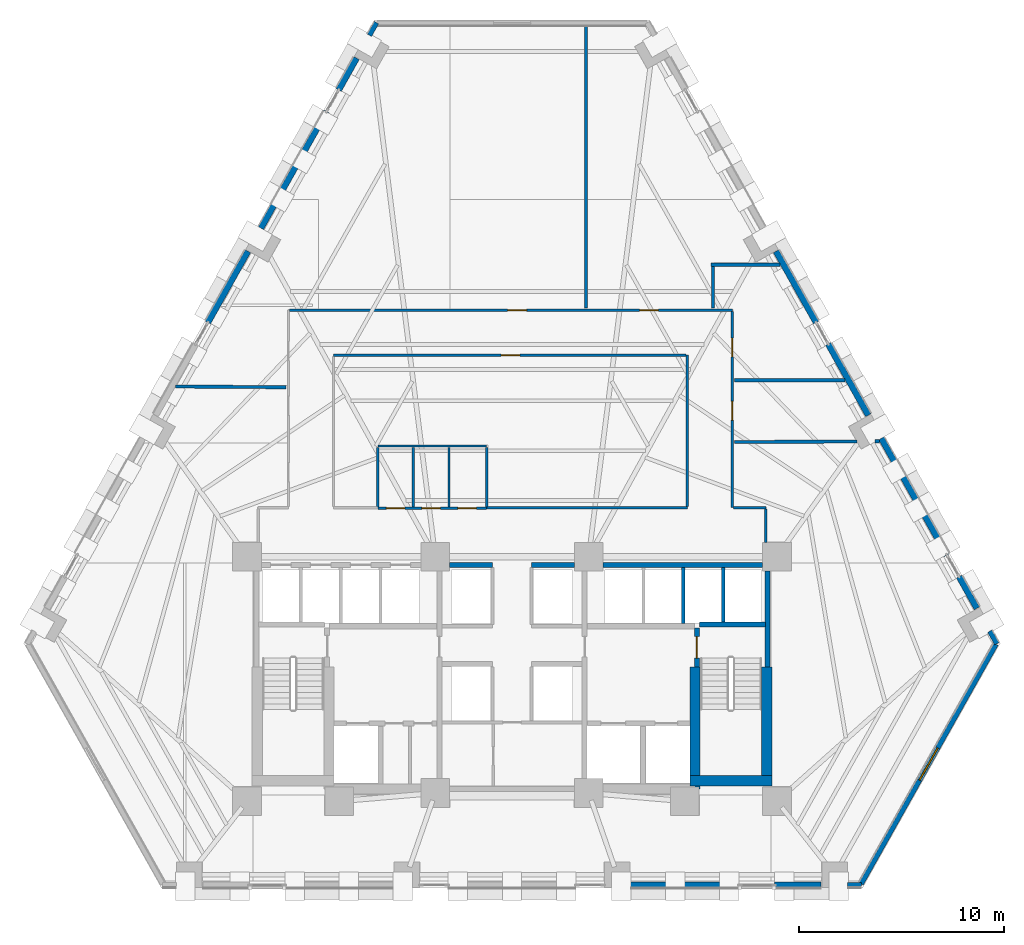
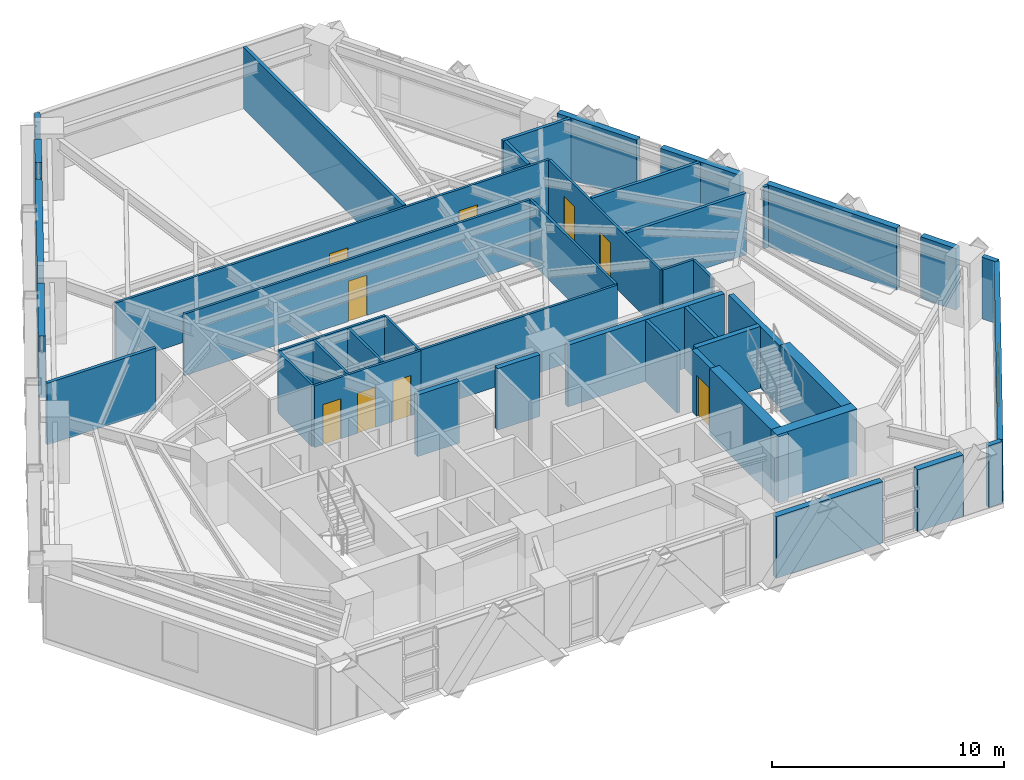
# One storey, part 8 of 13: 44 walls, 9 doors, 1 window, 10 openings.
"""IFC4 building model written with IfcOpenShell, lengths in metres."""

from ifc_helpers import new_model, si_unit, direction, frame, frame_2d, origin, place, context, subcontext, project, spatial, rectangle, extrude, material, layer, layer_set, type_object, element, fill, save


model = new_model("IFC4")

# Units and contexts
model_context = context("Model", 3, precision=1e-05, world=origin(), true_north=direction((0.0, 1.0)))
body_context = subcontext(model_context, "Body", "Model", "MODEL_VIEW")
ifc_project = project(units=[si_unit("LENGTHUNIT", "METRE"), si_unit("AREAUNIT", "SQUARE_METRE"), si_unit("VOLUMEUNIT", "CUBIC_METRE"), si_unit("PLANEANGLEUNIT", "RADIAN"), si_unit("MASSUNIT", "GRAM", prefix="KILO")], contexts=[model_context])

# Site, building, storey
site_placement = place(None, origin())
site = spatial("IfcSite", under=ifc_project, at=site_placement, CompositionType="ELEMENT")
building_placement = place(site_placement, origin())
building = spatial("IfcBuilding", under=site, at=building_placement, Name="Quenlor Broadcast Tower", CompositionType="ELEMENT")
storey_placement = place(building_placement, frame((0.0, 0.0, 45.10009765625)))
storey = spatial("IfcBuildingStorey", under=building, at=storey_placement, Name="L11", CompositionType="ELEMENT", Elevation=45.10009765625)

# Walls
ifc_material_1 = material(Name="Concrete C65/80", Category="concrete")
ifc_layer_1 = layer(ifc_material_1, 0.5)
ifc_layer_set_1 = layer_set([ifc_layer_1], Name="Core Concrete C65/80 Shear Wall 500")
wall_type_1 = type_object("IfcWallType", Name="Core Concrete C65/80 Shear Wall 500", PredefinedType="SHEAR", material=ifc_layer_set_1)
wall_1_placement = place(storey_placement, frame((8.699951171875, -15.75, 0.0), z_axis=(0.0, 0.0, 1.0), x_axis=(1.0, 0.0, 0.0)))
element("IfcWall", 1, at=wall_1_placement, inside=storey, type_object=wall_type_1, Name="L11 Core Shear Wall WS-E2", PredefinedType="SHEAR", context=body_context, shape_type="SweptSolid", body=[
    extrude(rectangle(XDim=4.0, YDim=0.5, at=frame_2d((2.0, 0.0))), origin(), (0.0, 0.0, 1.0), 3.5),
])
wall_2_placement = place(storey_placement, frame((12.449951171875, -15.75, 0.0), z_axis=(0.0, 0.0, 1.0), x_axis=(0.0, 1.0, 0.0)))
element("IfcWall", 2, at=wall_2_placement, inside=storey, type_object=wall_type_1, Name="L11 Core Shear Wall WF-E", PredefinedType="SHEAR", context=body_context, shape_type="SweptSolid", body=[
    extrude(rectangle(XDim=5.550048828125, YDim=0.5, at=frame_2d((2.77490234375, 0.0))), origin(), (0.0, 0.0, 1.0), 3.5),
])
wall_3_placement = place(storey_placement, frame((8.949951171875, -16.14990234375, 0.0), z_axis=(0.0, 0.0, 1.0), x_axis=(0.0, 1.0, 0.0)))
element("IfcWall", 3, at=wall_3_placement, inside=storey, type_object=wall_type_1, Name="L11 Core Shear Wall WI-E", PredefinedType="SHEAR", context=body_context, shape_type="SweptSolid", body=[
    extrude(rectangle(XDim=5.949951171875, YDim=0.5, at=frame_2d((2.97509765625, 0.0))), origin(), (0.0, 0.0, 1.0), 3.5),
])

# Wall, opening, door
ifc_material_2 = material(Name="Concrete C40/50", Category="concrete")
ifc_layer_2 = layer(ifc_material_2, 0.25)
ifc_layer_set_2 = layer_set([ifc_layer_2], Name="Fire Rated Concrete C40/50 Core Wall 250")
wall_type_2 = type_object("IfcWallType", Name="Fire Rated Concrete C40/50 Core Wall 250", PredefinedType="PARTITIONING", material=ifc_layer_set_2)
wall_4_placement = place(storey_placement, frame((9.0400390625, -10.179931640625, 0.0), z_axis=(0.0, 0.0, 1.0), x_axis=(0.0, 1.0, 0.0)))
wall_4 = element("IfcWall", 4, at=wall_4_placement, inside=storey, type_object=wall_type_2, Name="L11 Interior Wall CW-ST2-DR", PredefinedType="PARTITIONING", context=body_context, shape_type="SweptSolid", body=[
    extrude(rectangle(XDim=1.89990234375, YDim=0.25, at=frame_2d((0.949951171875, 0.0))), origin(), (0.0, 0.0, 1.0), 3.25),
])
opening_1_placement = place(wall_4_placement, frame((0.419921875, 0.0, 0.0)))
opening_1 = element("IfcOpeningElement", 5, at=opening_1_placement, cuts=wall_4, Name="Opening FD-1", PredefinedType="OPENING", context=body_context, shape_type="SweptSolid", body=[
    extrude(rectangle(XDim=1.050048828125, YDim=2.14990234375, at=frame_2d((0.52490234375, 1.074951171875))), frame((0.0, 0.135009765625, 0.0), z_axis=(0.0, -1.0, 0.0), x_axis=(1.0, 0.0, 0.0)), (0.0, 0.0, 1.0), 0.27001953125),
])
ifc_material_3 = material(Name="Fire Rated Steel Door Leaf", Category="steel")
door_type_1 = type_object("IfcDoorType", Name="Fire Isolated Stair Door 1050x2150", OperationType="NOTDEFINED", PredefinedType="DOOR", material=ifc_material_3)
door_1_placement = place(opening_1_placement, origin())
door_1 = element("IfcDoor", 6, at=door_1_placement, inside=storey, type_object=door_type_1, Name="L11 Door DR-ST2", OperationType="SINGLE_SWING_RIGHT", OverallHeight=2.14990234375, OverallWidth=1.050048828125, PredefinedType="DOOR", context=body_context, shape_type="SweptSolid", body=[
    extrude(rectangle(XDim=1.050048828125, YDim=2.14990234375, at=frame_2d((0.52490234375, 1.074951171875))), frame((0.0, 0.02490234375, 0.0), z_axis=(0.0, -1.0, 0.0), x_axis=(1.0, 0.0, 0.0)), (0.0, 0.0, 1.0), 0.050048828125),
])
fill(opening_1, door_1)

# Walls
wall_5_placement = place(storey_placement, frame((9.159912109375, -8.1201171875, 0.0), z_axis=(0.0, 0.0, 1.0), x_axis=(1.0, 0.0, 0.0)))
element("IfcWall", 7, at=wall_5_placement, inside=storey, type_object=wall_type_2, Name="L11 Interior Wall CW-ST2-N", PredefinedType="PARTITIONING", context=body_context, shape_type="SweptSolid", body=[
    extrude(rectangle(XDim=3.219970703125, YDim=0.25, at=frame_2d((1.60986328125, 0.0))), origin(), (0.0, 0.0, 1.0), 3.25),
])
wall_6_placement = place(storey_placement, frame((12.47998046875, -10.179931640625, 0.0), z_axis=(0.0, 0.0, 1.0), x_axis=(0.0, 1.0, 0.0)))
element("IfcWall", 8, at=wall_6_placement, inside=storey, type_object=wall_type_2, Name="L11 Interior Wall CW-ST2-E2", PredefinedType="PARTITIONING", context=body_context, shape_type="SweptSolid", body=[
    extrude(rectangle(XDim=4.677978515625, YDim=0.25, at=frame_2d((2.3388671875, 0.0))), origin(), (0.0, 0.0, 1.0), 3.25),
])
wall_7_placement = place(storey_placement, frame((4.451904296875, -5.199951171875, 0.0), z_axis=(0.0, 0.0, 1.0), x_axis=(1.0, 0.0, 0.0)))
element("IfcWall", 9, at=wall_7_placement, inside=storey, type_object=wall_type_2, Name="L11 Interior Wall CW-N-E", PredefinedType="PARTITIONING", context=body_context, shape_type="SweptSolid", body=[
    extrude(rectangle(XDim=7.796142578125, YDim=0.25, at=frame_2d((3.89794921875, 0.0))), origin(), (0.0, 0.0, 1.0), 3.25),
])
for number, where, z_axis, x_axis, name in (
    (10, (-3.048095703125, -5.199951171875, 0.0), (0.0, 0.0, 1.0), (1.0, 0.0, 0.0), "L11 Interior Wall CW-N-M1"),
    (11, (0.949951171875, -5.199951171875, 0.0), (0.0, 0.0, 1.0), (1.0, 0.0, 0.0), "L11 Interior Wall CW-N-M2"),
):
    element("IfcWall", number, at=place(storey_placement, frame(where, z_axis=z_axis, x_axis=x_axis)), inside=storey, type_object=wall_type_2, Name=name, PredefinedType="PARTITIONING", context=body_context, shape_type="SweptSolid", body=[
        extrude(rectangle(XDim=2.09814453125, YDim=0.25, at=frame_2d((1.049072265625, 0.0))), origin(), (0.0, 0.0, 1.0), 3.25),
    ])
ifc_material_4 = material(Name="Gypsum Fireboard Partition", Category="other")
ifc_layer_3 = layer(ifc_material_4, 0.159912109375)
ifc_layer_set_3 = layer_set([ifc_layer_3], Name="Fire Rated Shaft and Corridor Partition 160")
wall_type_3 = type_object("IfcWallType", Name="Fire Rated Shaft and Corridor Partition 160", PredefinedType="PARTITIONING", material=ifc_layer_set_3)
wall_8_placement = place(storey_placement, frame((8.375, -8.072998046875, 0.0), z_axis=(0.0, 0.0, 1.0), x_axis=(0.0, 1.0, 0.0)))
element("IfcWall", 12, at=wall_8_placement, inside=storey, type_object=wall_type_3, Name="L11 Interior Wall CW-PLH-D2", PredefinedType="PARTITIONING", context=body_context, shape_type="SweptSolid", body=[
    extrude(rectangle(XDim=2.73291015625, YDim=0.159912109375, at=frame_2d((1.366455078125, 0.0))), origin(), (0.0, 0.0, 1.0), 3.25),
])
wall_9_placement = place(storey_placement, frame((10.324951171875, -7.992919921875, 0.0), z_axis=(0.0, 0.0, 1.0), x_axis=(0.0, 1.0, 0.0)))
element("IfcWall", 13, at=wall_9_placement, inside=storey, type_object=wall_type_3, Name="L11 Interior Wall CW-PLH-D3", PredefinedType="PARTITIONING", context=body_context, shape_type="SweptSolid", body=[
    extrude(rectangle(XDim=2.65283203125, YDim=0.159912109375, at=frame_2d((1.326416015625, 0.0))), origin(), (0.0, 0.0, 1.0), 3.25),
])
wall_10_placement = place(storey_placement, frame((3.6201171875, 21.14990234375, 0.0), z_axis=(0.0, 0.0, 1.0), x_axis=(0.0, -1.0, 0.0)))
element("IfcWall", 14, at=wall_10_placement, inside=storey, type_object=wall_type_3, Name="L11 Interior Wall PW-DV-01", PredefinedType="PARTITIONING", context=body_context, shape_type="SweptSolid", body=[
    extrude(rectangle(XDim=13.789794921875, YDim=0.159912109375, at=frame_2d((6.89501953125, 0.0))), origin(), (0.0, 0.0, 1.0), 3.25),
])
wall_11_placement = place(storey_placement, frame((13.102783203125, 9.4697265625, 0.0), z_axis=(0.0, 0.0, 1.0), x_axis=(-0.999999333295, 0.001154733641, 0.0)))
element("IfcWall", 15, at=wall_11_placement, inside=storey, type_object=wall_type_3, Name="L11 Interior Wall PW-DV-02", PredefinedType="PARTITIONING", context=body_context, shape_type="SweptSolid", body=[
    extrude(rectangle(XDim=3.3828125, YDim=0.159912109375, at=frame_2d((1.69140625, 0.0))), origin(), (0.0, 0.0, 1.0), 3.25),
])
wall_12_placement = place(storey_placement, frame((9.820068359375, 9.3916015625, 0.0), z_axis=(0.0, 0.0, 1.0), x_axis=(0.0, -1.0, 0.0)))
element("IfcWall", 16, at=wall_12_placement, inside=storey, type_object=wall_type_3, Name="L11 Interior Wall PW-DV-03", PredefinedType="PARTITIONING", context=body_context, shape_type="SweptSolid", body=[
    extrude(rectangle(XDim=2.031494140625, YDim=0.159912109375, at=frame_2d((1.015625, 0.0))), origin(), (0.0, 0.0, 1.0), 3.25),
])
wall_13_placement = place(storey_placement, frame((-11.034912109375, 3.481201171875, 0.0), z_axis=(0.0, 0.0, 1.0), x_axis=(-0.999974946462, 0.007078590856, 0.0)))
element("IfcWall", 17, at=wall_13_placement, inside=storey, type_object=wall_type_3, Name="L11 Interior Wall PW-DV-04", PredefinedType="PARTITIONING", context=body_context, shape_type="SweptSolid", body=[
    extrude(rectangle(XDim=5.4150390625, YDim=0.159912109375, at=frame_2d((2.70751953125, 0.0))), origin(), (0.0, 0.0, 1.0), 3.25),
])
wall_14_placement = place(storey_placement, frame((16.28076171875, 3.820068359375, 0.0), z_axis=(0.0, 0.0, 1.0), x_axis=(-1.0, 0.0, 0.0)))
element("IfcWall", 18, at=wall_14_placement, inside=storey, type_object=wall_type_3, Name="L11 Interior Wall PW-DV-05", PredefinedType="PARTITIONING", context=body_context, shape_type="SweptSolid", body=[
    extrude(rectangle(XDim=5.395751953125, YDim=0.159912109375, at=frame_2d((2.69775390625, 0.0))), origin(), (0.0, 0.0, 1.0), 3.25),
])
wall_15_placement = place(storey_placement, frame((17.95751953125, 0.83935546875, 0.0), z_axis=(0.0, 0.0, 1.0), x_axis=(-0.999984076732, -0.005643250997, 0.0)))
element("IfcWall", 19, at=wall_15_placement, inside=storey, type_object=wall_type_3, Name="L11 Interior Wall PW-DV-06", PredefinedType="PARTITIONING", context=body_context, shape_type="SweptSolid", body=[
    extrude(rectangle(XDim=0.21630859375, YDim=0.159912109375, at=frame_2d((0.108154296875, 0.0))), origin(), (0.0, 0.0, 1.0), 3.25),
])
wall_16_placement = place(storey_placement, frame((16.853515625, 0.83349609375, 0.0), z_axis=(0.0, 0.0, 1.0), x_axis=(-0.999984753279, -0.005522065762, 0.0)))
element("IfcWall", 20, at=wall_16_placement, inside=storey, type_object=wall_type_3, Name="L11 Interior Wall PW-DV-06S2", PredefinedType="PARTITIONING", context=body_context, shape_type="SweptSolid", body=[
    extrude(rectangle(XDim=5.968505859375, YDim=0.159912109375, at=frame_2d((2.984375, 0.0))), origin(), (0.0, 0.0, 1.0), 3.25),
])

# Wall, openings, doors
ifc_material_5 = material(Name="Gypsum Plasterboard Partition", Category="other")
ifc_layer_4 = layer(ifc_material_5, 0.1201171875)
ifc_layer_set_4 = layer_set([ifc_layer_4], Name="Standard Office Partition 120")
wall_type_4 = type_object("IfcWallType", Name="Standard Office Partition 120", PredefinedType="PARTITIONING", material=ifc_layer_set_4)
wall_17_placement = place(storey_placement, frame((-6.56005859375, -2.43994140625, 0.0), z_axis=(0.0, 0.0, 1.0), x_axis=(1.0, 0.0, 0.0)))
wall_17 = element("IfcWall", 21, at=wall_17_placement, inside=storey, type_object=wall_type_4, Name="L11 Interior Wall PW-WC-S", PredefinedType="PARTITIONING", context=body_context, shape_type="SweptSolid", body=[
    extrude(rectangle(XDim=5.320068359375, YDim=0.1201171875, at=frame_2d((2.66015625, 0.0))), origin(), (0.0, 0.0, 1.0), 3.25),
])
opening_2_placement = place(wall_17_placement, frame((0.419921875, 0.0, 0.0)))
opening_2 = element("IfcOpeningElement", 22, at=opening_2_placement, cuts=wall_17, Name="Opening ID-3", PredefinedType="OPENING", context=body_context, shape_type="SweptSolid", body=[
    extrude(rectangle(XDim=0.89990234375, YDim=2.1201171875, at=frame_2d((0.449951171875, 1.06005859375))), frame((0.0, 0.070068359375, 0.0), z_axis=(0.0, -1.0, 0.0), x_axis=(1.0, 0.0, 0.0)), (0.0, 0.0, 1.0), 0.14013671875),
])
opening_3_placement = place(wall_17_placement, frame((2.159912109375, 0.0, 0.0)))
opening_3 = element("IfcOpeningElement", 23, at=opening_3_placement, cuts=wall_17, Name="Opening ID-3", PredefinedType="OPENING", context=body_context, shape_type="SweptSolid", body=[
    extrude(rectangle(XDim=0.89990234375, YDim=2.1201171875, at=frame_2d((0.449951171875, 1.06005859375))), frame((0.0, 0.070068359375, 0.0), z_axis=(0.0, -1.0, 0.0), x_axis=(1.0, 0.0, 0.0)), (0.0, 0.0, 1.0), 0.14013671875),
])
opening_4_placement = place(wall_17_placement, frame((3.919921875, 0.0, 0.0)))
opening_4 = element("IfcOpeningElement", 24, at=opening_4_placement, cuts=wall_17, Name="Opening ID-3", PredefinedType="OPENING", context=body_context, shape_type="SweptSolid", body=[
    extrude(rectangle(XDim=0.89990234375, YDim=2.1201171875, at=frame_2d((0.449951171875, 1.06005859375))), frame((0.0, 0.070068359375, 0.0), z_axis=(0.0, -1.0, 0.0), x_axis=(1.0, 0.0, 0.0)), (0.0, 0.0, 1.0), 0.14013671875),
])
ifc_material_6 = material(Name="Moisture Resistant Timber Oak", Category="wood")
door_type_2 = type_object("IfcDoorType", Name="Washroom Privacy Door 900x2120", OperationType="NOTDEFINED", PredefinedType="DOOR", material=ifc_material_6)
door_2_placement = place(opening_2_placement, origin())
door_2 = element("IfcDoor", 25, at=door_2_placement, inside=storey, type_object=door_type_2, Name="L11 Door DR-FWC", OperationType="SINGLE_SWING_LEFT", OverallHeight=2.1201171875, OverallWidth=0.89990234375, PredefinedType="DOOR", context=body_context, shape_type="SweptSolid", body=[
    extrude(rectangle(XDim=0.89990234375, YDim=2.1201171875, at=frame_2d((0.449951171875, 1.06005859375))), frame((0.0, 0.02490234375, 0.0), z_axis=(0.0, -1.0, 0.0), x_axis=(1.0, 0.0, 0.0)), (0.0, 0.0, 1.0), 0.050048828125),
])
fill(opening_2, door_2)
door_3_placement = place(opening_3_placement, origin())
door_3 = element("IfcDoor", 26, at=door_3_placement, inside=storey, type_object=door_type_2, Name="L11 Door DR-MWC", OperationType="SINGLE_SWING_RIGHT", OverallHeight=2.1201171875, OverallWidth=0.89990234375, PredefinedType="DOOR", context=body_context, shape_type="SweptSolid", body=[
    extrude(rectangle(XDim=0.89990234375, YDim=2.1201171875, at=frame_2d((0.449951171875, 1.06005859375))), frame((0.0, 0.02490234375, 0.0), z_axis=(0.0, -1.0, 0.0), x_axis=(1.0, 0.0, 0.0)), (0.0, 0.0, 1.0), 0.050048828125),
])
fill(opening_3, door_3)
door_4_placement = place(opening_4_placement, origin())
door_4 = element("IfcDoor", 27, at=door_4_placement, inside=storey, type_object=door_type_2, Name="L11 Door DR-AWC", OperationType="SINGLE_SWING_RIGHT", OverallHeight=2.1201171875, OverallWidth=0.89990234375, PredefinedType="DOOR", context=body_context, shape_type="SweptSolid", body=[
    extrude(rectangle(XDim=0.89990234375, YDim=2.1201171875, at=frame_2d((0.449951171875, 1.06005859375))), frame((0.0, 0.02490234375, 0.0), z_axis=(0.0, -1.0, 0.0), x_axis=(1.0, 0.0, 0.0)), (0.0, 0.0, 1.0), 0.050048828125),
])
fill(opening_4, door_4)

# Walls
wall_18_placement = place(storey_placement, frame((-6.56005859375, 0.610107421875, 0.0), z_axis=(0.0, 0.0, 1.0), x_axis=(1.0, 0.0, 0.0)))
element("IfcWall", 28, at=wall_18_placement, inside=storey, type_object=wall_type_4, Name="L11 Interior Wall PW-WC-N", PredefinedType="PARTITIONING", context=body_context, shape_type="SweptSolid", body=[
    extrude(rectangle(XDim=5.320068359375, YDim=0.1201171875, at=frame_2d((2.66015625, 0.0))), origin(), (0.0, 0.0, 1.0), 3.25),
])
for number, where, z_axis, x_axis, name in (
    (29, (-6.56005859375, -2.3779296875, 0.0), (0.0, 0.0, 1.0), (0.0, 1.0, 0.0), "L11 Interior Wall PW-WC-W"),
    (30, (-4.820068359375, -2.3779296875, 0.0), (0.0, 0.0, 1.0), (0.0, 1.0, 0.0), "L11 Interior Wall PW-WC-M1"),
    (31, (-3.080078125, -2.3779296875, 0.0), (0.0, 0.0, 1.0), (0.0, 1.0, 0.0), "L11 Interior Wall PW-WC-M2"),
    (32, (-1.239990234375, -2.3779296875, 0.0), (0.0, 0.0, 1.0), (0.0, 1.0, 0.0), "L11 Interior Wall PW-WC-E"),
):
    element("IfcWall", number, at=place(storey_placement, frame(where, z_axis=z_axis, x_axis=x_axis)), inside=storey, type_object=wall_type_4, Name=name, PredefinedType="PARTITIONING", context=body_context, shape_type="SweptSolid", body=[
        extrude(rectangle(XDim=2.926025390625, YDim=0.1201171875, at=frame_2d((1.462890625, 0.0))), origin(), (0.0, 0.0, 1.0), 3.25),
    ])

# Wall, openings, doors
wall_19_placement = place(storey_placement, frame((-10.863037109375, 7.25, 0.0), z_axis=(0.0, 0.0, 1.0), x_axis=(1.0, 0.0, 0.0)))
wall_19 = element("IfcWall", 33, at=wall_19_placement, inside=storey, type_object=wall_type_4, Name="L11 Interior Wall PW-CR-03", PredefinedType="PARTITIONING", context=body_context, shape_type="SweptSolid", body=[
    extrude(rectangle(XDim=21.637939453125, YDim=0.1201171875, at=frame_2d((10.81884765625, 0.0))), origin(), (0.0, 0.0, 1.0), 3.25),
])
opening_5_placement = place(wall_19_placement, frame((10.653076171875, 0.0, 0.0)))
opening_5 = element("IfcOpeningElement", 34, at=opening_5_placement, cuts=wall_19, Name="Opening ID-1", PredefinedType="OPENING", context=body_context, shape_type="SweptSolid", body=[
    extrude(rectangle(XDim=0.919921875, YDim=2.1201171875, at=frame_2d((0.4599609375, 1.06005859375))), frame((0.0, 0.070068359375, 0.0), z_axis=(0.0, -1.0, 0.0), x_axis=(1.0, 0.0, 0.0)), (0.0, 0.0, 1.0), 0.14013671875),
])
opening_6_placement = place(wall_19_placement, frame((17.10302734375, 0.0, 0.0)))
opening_6 = element("IfcOpeningElement", 35, at=opening_6_placement, cuts=wall_19, Name="Opening ID-1", PredefinedType="OPENING", context=body_context, shape_type="SweptSolid", body=[
    extrude(rectangle(XDim=0.919921875, YDim=2.1201171875, at=frame_2d((0.4599609375, 1.06005859375))), frame((0.0, 0.070068359375, 0.0), z_axis=(0.0, -1.0, 0.0), x_axis=(1.0, 0.0, 0.0)), (0.0, 0.0, 1.0), 0.14013671875),
])
ifc_material_7 = material(Name="Solid Core Timber Oak", Category="wood")
door_type_3 = type_object("IfcDoorType", Name="Single Leaf Timber Office Door 920x2120", OperationType="NOTDEFINED", PredefinedType="DOOR", material=ifc_material_7)
door_5_placement = place(opening_5_placement, origin())
door_5 = element("IfcDoor", 36, at=door_5_placement, inside=storey, type_object=door_type_3, Name="L11 Door DR-RM01", OperationType="SINGLE_SWING_RIGHT", OverallHeight=2.1201171875, OverallWidth=0.919921875, PredefinedType="DOOR", context=body_context, shape_type="SweptSolid", body=[
    extrude(rectangle(XDim=0.919921875, YDim=2.1201171875, at=frame_2d((0.4599609375, 1.06005859375))), frame((0.0, 0.02490234375, 0.0), z_axis=(0.0, -1.0, 0.0), x_axis=(1.0, 0.0, 0.0)), (0.0, 0.0, 1.0), 0.050048828125),
])
fill(opening_5, door_5)
door_6_placement = place(opening_6_placement, origin())
door_6 = element("IfcDoor", 37, at=door_6_placement, inside=storey, type_object=door_type_3, Name="L11 Door DR-RM02", OperationType="SINGLE_SWING_LEFT", OverallHeight=2.1201171875, OverallWidth=0.919921875, PredefinedType="DOOR", context=body_context, shape_type="SweptSolid", body=[
    extrude(rectangle(XDim=0.919921875, YDim=2.1201171875, at=frame_2d((0.4599609375, 1.06005859375))), frame((0.0, 0.02490234375, 0.0), z_axis=(0.0, -1.0, 0.0), x_axis=(1.0, 0.0, 0.0)), (0.0, 0.0, 1.0), 0.050048828125),
])
fill(opening_6, door_6)

wall_20_placement = place(storey_placement, frame((10.77490234375, 7.18798828125, 0.0), z_axis=(0.0, 0.0, 1.0), x_axis=(0.0, -1.0, 0.0)))
wall_20 = element("IfcWall", 38, at=wall_20_placement, inside=storey, type_object=wall_type_4, Name="L11 Interior Wall PW-CR-04", PredefinedType="PARTITIONING", context=body_context, shape_type="SweptSolid", body=[
    extrude(rectangle(XDim=9.587890625, YDim=0.1201171875, at=frame_2d((4.7939453125, 0.0))), origin(), (0.0, 0.0, 1.0), 3.25),
])
opening_7_placement = place(wall_20_placement, frame((1.302001953125, 0.0, 0.0)))
opening_7 = element("IfcOpeningElement", 39, at=opening_7_placement, cuts=wall_20, Name="Opening ID-1", PredefinedType="OPENING", context=body_context, shape_type="SweptSolid", body=[
    extrude(rectangle(XDim=0.919921875, YDim=2.1201171875, at=frame_2d((0.4599609375, 1.06005859375))), frame((0.0, 0.070068359375, 0.0), z_axis=(0.0, -1.0, 0.0), x_axis=(1.0, 0.0, 0.0)), (0.0, 0.0, 1.0), 0.14013671875),
])
opening_8_placement = place(wall_20_placement, frame((4.39794921875, 0.0, 0.0)))
opening_8 = element("IfcOpeningElement", 40, at=opening_8_placement, cuts=wall_20, Name="Opening ID-1", PredefinedType="OPENING", context=body_context, shape_type="SweptSolid", body=[
    extrude(rectangle(XDim=0.919921875, YDim=2.1201171875, at=frame_2d((0.4599609375, 1.06005859375))), frame((0.0, 0.070068359375, 0.0), z_axis=(0.0, -1.0, 0.0), x_axis=(1.0, 0.0, 0.0)), (0.0, 0.0, 1.0), 0.14013671875),
])
door_7_placement = place(opening_7_placement, origin())
door_7 = element("IfcDoor", 41, at=door_7_placement, inside=storey, type_object=door_type_3, Name="L11 Door DR-RM04", OperationType="SINGLE_SWING_LEFT", OverallHeight=2.1201171875, OverallWidth=0.919921875, PredefinedType="DOOR", context=body_context, shape_type="SweptSolid", body=[
    extrude(rectangle(XDim=0.919921875, YDim=2.1201171875, at=frame_2d((0.4599609375, 1.06005859375))), frame((0.0, 0.02490234375, 0.0), z_axis=(0.0, -1.0, 0.0), x_axis=(1.0, 0.0, 0.0)), (0.0, 0.0, 1.0), 0.050048828125),
])
fill(opening_7, door_7)
door_8_placement = place(opening_8_placement, origin())
door_8 = element("IfcDoor", 42, at=door_8_placement, inside=storey, type_object=door_type_3, Name="L11 Door DR-RM06", OperationType="SINGLE_SWING_LEFT", OverallHeight=2.1201171875, OverallWidth=0.919921875, PredefinedType="DOOR", context=body_context, shape_type="SweptSolid", body=[
    extrude(rectangle(XDim=0.919921875, YDim=2.1201171875, at=frame_2d((0.4599609375, 1.06005859375))), frame((0.0, 0.02490234375, 0.0), z_axis=(0.0, -1.0, 0.0), x_axis=(1.0, 0.0, 0.0)), (0.0, 0.0, 1.0), 0.050048828125),
])
fill(opening_8, door_8)

# Walls
wall_21_placement = place(storey_placement, frame((10.8369140625, -2.39990234375, 0.0), z_axis=(0.0, 0.0, 1.0), x_axis=(1.0, 0.0, 0.0)))
element("IfcWall", 43, at=wall_21_placement, inside=storey, type_object=wall_type_4, Name="L11 Interior Wall PW-CR-05", PredefinedType="PARTITIONING", context=body_context, shape_type="SweptSolid", body=[
    extrude(rectangle(XDim=1.572998046875, YDim=0.1201171875, at=frame_2d((0.78662109375, 0.0))), origin(), (0.0, 0.0, 1.0), 3.25),
])
wall_22_placement = place(storey_placement, frame((12.409912109375, -2.4619140625, 0.0), z_axis=(0.0, 0.0, 1.0), x_axis=(0.0, -1.0, 0.0)))
element("IfcWall", 44, at=wall_22_placement, inside=storey, type_object=wall_type_4, Name="L11 Interior Wall PW-CR-06", PredefinedType="PARTITIONING", context=body_context, shape_type="SweptSolid", body=[
    extrude(rectangle(XDim=1.635986328125, YDim=0.1201171875, at=frame_2d((0.81787109375, 0.0))), origin(), (0.0, 0.0, 1.0), 3.25),
])
wall_23_placement = place(storey_placement, frame((-1.238037109375, -2.39990234375, 0.0), z_axis=(0.0, 0.0, 1.0), x_axis=(1.0, 0.0, 0.0)))
element("IfcWall", 45, at=wall_23_placement, inside=storey, type_object=wall_type_4, Name="L11 Interior Wall PW-CR-08S2", PredefinedType="PARTITIONING", context=body_context, shape_type="SweptSolid", body=[
    extrude(rectangle(XDim=9.81298828125, YDim=0.1201171875, at=frame_2d((4.906494140625, 0.0))), origin(), (0.0, 0.0, 1.0), 3.25),
])
wall_24_placement = place(storey_placement, frame((8.574951171875, -2.337890625, 0.0), z_axis=(0.0, 0.0, 1.0), x_axis=(0.0, 1.0, 0.0)))
element("IfcWall", 46, at=wall_24_placement, inside=storey, type_object=wall_type_4, Name="L11 Interior Wall PW-CR-09", PredefinedType="PARTITIONING", context=body_context, shape_type="SweptSolid", body=[
    extrude(rectangle(XDim=7.387939453125, YDim=0.1201171875, at=frame_2d((3.69384765625, 0.0))), origin(), (0.0, 0.0, 1.0), 3.25),
])

# Wall, opening, door
wall_25_placement = place(storey_placement, frame((8.512939453125, 5.050048828125, 0.0), z_axis=(0.0, 0.0, 1.0), x_axis=(-1.0, 0.0, 0.0)))
wall_25 = element("IfcWall", 47, at=wall_25_placement, inside=storey, type_object=wall_type_4, Name="L11 Interior Wall PW-CR-10", PredefinedType="PARTITIONING", context=body_context, shape_type="SweptSolid", body=[
    extrude(rectangle(XDim=17.238037109375, YDim=0.1201171875, at=frame_2d((8.619140625, 0.0))), origin(), (0.0, 0.0, 1.0), 3.25),
])
opening_9_placement = place(wall_25_placement, frame((8.1279296875, 0.0, 0.0)))
opening_9 = element("IfcOpeningElement", 48, at=opening_9_placement, cuts=wall_25, Name="Opening ID-1", PredefinedType="OPENING", context=body_context, shape_type="SweptSolid", body=[
    extrude(rectangle(XDim=0.919921875, YDim=2.1201171875, at=frame_2d((0.4599609375, 1.06005859375))), frame((0.0, 0.070068359375, 0.0), z_axis=(0.0, -1.0, 0.0), x_axis=(1.0, 0.0, 0.0)), (0.0, 0.0, 1.0), 0.14013671875),
])
door_9_placement = place(opening_9_placement, origin())
door_9 = element("IfcDoor", 49, at=door_9_placement, inside=storey, type_object=door_type_3, Name="L11 Door DR-RM07", OperationType="SINGLE_SWING_RIGHT", OverallHeight=2.1201171875, OverallWidth=0.919921875, PredefinedType="DOOR", context=body_context, shape_type="SweptSolid", body=[
    extrude(rectangle(XDim=0.919921875, YDim=2.1201171875, at=frame_2d((0.4599609375, 1.06005859375))), frame((0.0, 0.02490234375, 0.0), z_axis=(0.0, -1.0, 0.0), x_axis=(1.0, 0.0, 0.0)), (0.0, 0.0, 1.0), 0.050048828125),
])
fill(opening_9, door_9)

# Walls
ifc_material_8 = material(Name="Precast concrete C40/50", Category="concrete")
ifc_layer_5 = layer(ifc_material_8, 0.239990234375)
ifc_layer_set_5 = layer_set([ifc_layer_5], Name="Terrace Threshold Precast Concrete C40/50 Wall 240")
wall_type_5 = type_object("IfcWallType", Name="Terrace Threshold Precast Concrete C40/50 Wall 240", PredefinedType="STANDARD", material=ifc_layer_set_5)
wall_26_placement = place(storey_placement, frame((17.075927734375, -20.840087890625, 0.0), z_axis=(0.0, 0.0, 1.0), x_axis=(-1.0, 0.0, 0.0)))
element("IfcWall", 50, at=wall_26_placement, inside=storey, type_object=wall_type_5, Name="L11 Exterior Wall L11-SHD-SS0", PredefinedType="STANDARD", context=body_context, shape_type="SweptSolid", body=[
    extrude(rectangle(XDim=0.680908203125, YDim=0.239990234375, at=frame_2d((0.34033203125, 0.0))), origin(), (0.0, 0.0, 1.0), 3.25),
])
wall_27_placement = place(storey_placement, frame((23.351806640625, -8.44091796875, 0.0), z_axis=(0.0, 0.0, 1.0), x_axis=(0.490523074758, -0.871428203084, 0.0)))
element("IfcWall", 51, at=wall_27_placement, inside=storey, type_object=wall_type_5, Name="L11 Exterior Wall L11-SHD-NES1", PredefinedType="STANDARD", context=body_context, shape_type="SweptSolid", body=[
    extrude(rectangle(XDim=0.708251953125, YDim=0.239990234375, at=frame_2d((0.35400390625, 0.0))), origin(), (0.0, 0.0, 1.0), 3.25),
])
wall_28_placement = place(storey_placement, frame((-6.968994140625, 20.68408203125, 0.0), z_axis=(0.0, 0.0, 1.0), x_axis=(0.490261239633, 0.871575537125, 0.0)))
element("IfcWall", 52, at=wall_28_placement, inside=storey, type_object=wall_type_5, Name="L11 Exterior Wall L11-SHD-NWS1", PredefinedType="STANDARD", context=body_context, shape_type="SweptSolid", body=[
    extrude(rectangle(XDim=0.7080078125, YDim=0.239990234375, at=frame_2d((0.35400390625, 0.0))), origin(), (0.0, 0.0, 1.0), 3.25),
])

# Wall, opening, window
wall_29_placement = place(storey_placement, frame((17.06689453125, -20.79638671875, 0.0), z_axis=(0.0, 0.0, 1.0), x_axis=(0.490268135177, 0.871571658345, 0.0)))
wall_29 = element("IfcWall", 53, at=wall_29_placement, inside=storey, type_object=wall_type_5, Name="L11 Exterior Wall L11-CNR-06", PredefinedType="STANDARD", context=body_context, shape_type="SweptSolid", body=[
    extrude(rectangle(XDim=13.44775390625, YDim=0.239990234375, at=frame_2d((6.723876953125, 0.0))), origin(), (0.0, 0.0, 1.0), 3.25),
])
opening_10_placement = place(wall_29_placement, frame((5.823974609375, 0.0, 0.89990234375)))
opening_10 = element("IfcOpeningElement", 54, at=opening_10_placement, cuts=wall_29, Name="Opening WN-1", PredefinedType="OPENING", context=body_context, shape_type="SweptSolid", body=[
    extrude(rectangle(XDim=1.800048828125, YDim=2.10009765625, at=frame_2d((0.89990234375, 1.050048828125))), frame((0.0, 0.1298828125, 0.0), z_axis=(0.0, -1.0, 0.0), x_axis=(1.0, 0.0, 0.0)), (0.0, 0.0, 1.0), 0.260009765625),
])
ifc_material_9 = material(Name="Thermally Broken Aluminium and Low-E Glass", Category="aluminium")
window_type = type_object("IfcWindowType", Name="Tower Acoustic Vision Window 1800x2100", PartitioningType="SINGLE_PANEL", PredefinedType="WINDOW", material=ifc_material_9)
window_placement = place(opening_10_placement, origin())
window = element("IfcWindow", 55, at=window_placement, inside=storey, type_object=window_type, Name="L11 Corner Chamfer Window 6", OverallHeight=2.10009765625, OverallWidth=1.800048828125, PartitioningType="SINGLE_PANEL", PredefinedType="WINDOW", context=body_context, shape_type="SweptSolid", body=[
    extrude(rectangle(XDim=1.800048828125, YDim=2.10009765625, at=frame_2d((0.89990234375, 1.050048828125))), frame((0.0, 0.030029296875, 0.0), z_axis=(0.0, -1.0, 0.0), x_axis=(1.0, 0.0, 0.0)), (0.0, 0.0, 1.0), 0.06005859375),
])
fill(opening_10, window)

# Walls
ifc_material_10 = material(Name="Precast concrete C40/50", Category="concrete")
ifc_layer_6 = layer(ifc_material_10, 0.300048828125)
ifc_layer_set_6 = layer_set([ifc_layer_6], Name="Terracotta Precast Concrete C40/50 Spandrel Wall 300")
wall_type_6 = type_object("IfcWallType", Name="Terracotta Precast Concrete C40/50 Spandrel Wall 300", PredefinedType="STANDARD", material=ifc_layer_set_6)
wall_30_placement = place(storey_placement, frame((15.114990234375, -20.840087890625, 0.0), z_axis=(0.0, 0.0, 1.0), x_axis=(-1.0, 0.0, 0.0)))
element("IfcWall", 56, at=wall_30_placement, inside=storey, type_object=wall_type_6, Name="L11 Exterior Wall L11-SA-SP1", PredefinedType="STANDARD", context=body_context, shape_type="SweptSolid", body=[
    extrude(rectangle(XDim=2.280029296875, YDim=0.300048828125, at=frame_2d((1.14013671875, 0.0))), origin(), (0.0, 0.0, 1.0), 3.25),
])
wall_31_placement = place(storey_placement, frame((11.106689453125, -20.840087890625, 0.0), z_axis=(0.0, 0.0, 1.0), x_axis=(-1.0, 0.0, 0.0)))
element("IfcWall", 57, at=wall_31_placement, inside=storey, type_object=wall_type_6, Name="L11 Exterior Wall L11-SA-SP2", PredefinedType="STANDARD", context=body_context, shape_type="SweptSolid", body=[
    extrude(rectangle(XDim=5.31591796875, YDim=0.300048828125, at=frame_2d((2.657958984375, 0.0))), origin(), (0.0, 0.0, 1.0), 3.25),
])
wall_32_placement = place(storey_placement, frame((18.049560546875, 0.985595703125, 0.0), z_axis=(0.0, 0.0, 1.0), x_axis=(0.490254155105, -0.871579522133, 0.0)))
element("IfcWall", 58, at=wall_32_placement, inside=storey, type_object=wall_type_6, Name="L11 Exterior Wall L11-NEC-SP1", PredefinedType="STANDARD", context=body_context, shape_type="SweptSolid", body=[
    extrude(rectangle(XDim=6.544677734375, YDim=0.300048828125, at=frame_2d((3.2724609375, 0.0))), origin(), (0.0, 0.0, 1.0), 3.25),
])
wall_33_placement = place(storey_placement, frame((21.85009765625, -5.77099609375, 0.0), z_axis=(0.0, 0.0, 1.0), x_axis=(0.490274239922, -0.871568224334, 0.0)))
element("IfcWall", 59, at=wall_33_placement, inside=storey, type_object=wall_type_6, Name="L11 Exterior Wall L11-NEC-SP2", PredefinedType="STANDARD", context=body_context, shape_type="SweptSolid", body=[
    extrude(rectangle(XDim=1.783203125, YDim=0.300048828125, at=frame_2d((0.8916015625, 0.0))), origin(), (0.0, 0.0, 1.0), 3.25),
])
for number, where, z_axis, x_axis, name in (
    (60, (12.90625, 10.12890625, 0.0), (0.0, 0.0, 1.0), (0.490275749717, -0.871567375043, 0.0), "L11 Exterior Wall L11-NE-SP1"),
    (61, (15.45654296875, 5.595458984375, 0.0), (0.0, 0.0, 1.0), (0.490275749717, -0.871567375043, 0.0), "L11 Exterior Wall L11-NE-SP2"),
):
    element("IfcWall", number, at=place(storey_placement, frame(where, z_axis=z_axis, x_axis=x_axis)), inside=storey, type_object=wall_type_6, Name=name, PredefinedType="STANDARD", context=body_context, shape_type="SweptSolid", body=[
        extrude(rectangle(XDim=3.994140625, YDim=0.300048828125, at=frame_2d((1.9970703125, 0.0))), origin(), (0.0, 0.0, 1.0), 3.25),
    ])
wall_34_placement = place(storey_placement, frame((-12.271484375, 11.2578125, 0.0), z_axis=(0.0, 0.0, 1.0), x_axis=(0.490270095534, 0.871570555621, 0.0)))
element("IfcWall", 62, at=wall_34_placement, inside=storey, type_object=wall_type_6, Name="L11 Exterior Wall L11-NWC-SP1", PredefinedType="STANDARD", context=body_context, shape_type="SweptSolid", body=[
    extrude(rectangle(XDim=6.54443359375, YDim=0.300048828125, at=frame_2d((3.272216796875, 0.0))), origin(), (0.0, 0.0, 1.0), 3.25),
])
wall_35_placement = place(storey_placement, frame((-8.470947265625, 18.01416015625, 0.0), z_axis=(0.0, 0.0, 1.0), x_axis=(0.490215743191, 0.87160112731, 0.0)))
element("IfcWall", 63, at=wall_35_placement, inside=storey, type_object=wall_type_6, Name="L11 Exterior Wall L11-NWC-SP2", PredefinedType="STANDARD", context=body_context, shape_type="SweptSolid", body=[
    extrude(rectangle(XDim=1.783447265625, YDim=0.300048828125, at=frame_2d((0.8916015625, 0.0))), origin(), (0.0, 0.0, 1.0), 3.25),
])
wall_36_placement = place(storey_placement, frame((-14.864501953125, 6.647705078125, 0.0), z_axis=(0.0, 0.0, 1.0), x_axis=(0.490275749717, 0.871567375043, 0.0)))
element("IfcWall", 64, at=wall_36_placement, inside=storey, type_object=wall_type_6, Name="L11 Exterior Wall L11-NW-SP2", PredefinedType="STANDARD", context=body_context, shape_type="SweptSolid", body=[
    extrude(rectangle(XDim=3.994140625, YDim=0.300048828125, at=frame_2d((1.9970703125, 0.0))), origin(), (0.0, 0.0, 1.0), 3.25),
])

save(model, "model.ifc")
